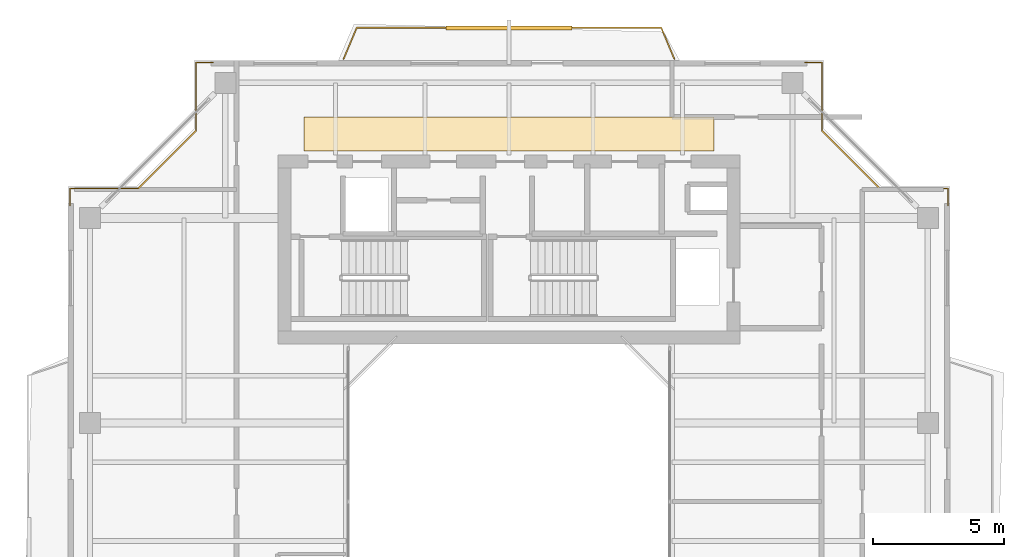
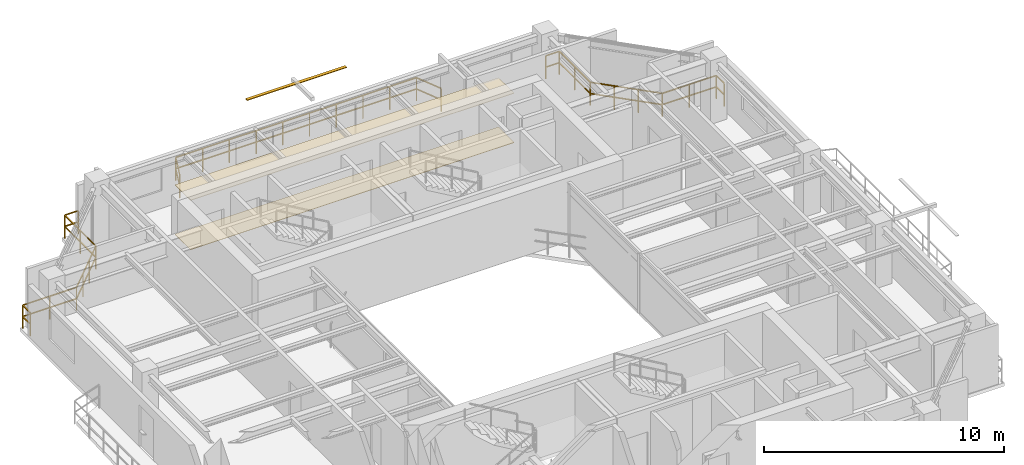
# One storey, part 16 of 16: 3 railings, 2 coverings, 1 shading device.
"""IFC4 building model written with IfcOpenShell, lengths in metres."""

from ifc_helpers import new_model, si_unit, direction, frame, origin, origin_2d, place, context, subcontext, project, spatial, polyline, rectangle, outline, extrude, source, transform, mapped, material, layer, layer_set, material_profile, profile_set, type_object, element, save


model = new_model("IFC4")

# Units and contexts
model_context = context("Model", 3, precision=1e-05, world=origin(), true_north=direction((0.0, 1.0)))
body_context = subcontext(model_context, "Body", "Model", "MODEL_VIEW")
ifc_project = project(units=[si_unit("LENGTHUNIT", "METRE"), si_unit("AREAUNIT", "SQUARE_METRE"), si_unit("VOLUMEUNIT", "CUBIC_METRE"), si_unit("PLANEANGLEUNIT", "RADIAN"), si_unit("MASSUNIT", "GRAM", prefix="KILO"), si_unit("THERMODYNAMICTEMPERATUREUNIT", "KELVIN"), si_unit("POWERUNIT", "WATT")], contexts=[model_context])

# Site, building, storey
site_placement = place(None, origin())
site = spatial("IfcSite", under=ifc_project, at=site_placement, CompositionType="ELEMENT")
building_placement = place(site_placement, origin())
building = spatial("IfcBuilding", under=site, at=building_placement, Name="Qiaomeng Ring Towers", CompositionType="ELEMENT")
storey_placement = place(building_placement, frame((0.0, 0.0, 229.5)))
storey = spatial("IfcBuildingStorey", under=building, at=storey_placement, Name="L67", CompositionType="ELEMENT", Elevation=229.5)

# Coverings
ifc_material_1 = material(Name="Moisture-resistant gypsum ceiling board", Category="gypsum")
ifc_layer_1 = layer(ifc_material_1, 0.030029296875, Name="Moisture-resistant gypsum ceiling board")
ifc_layer_set_1 = layer_set([ifc_layer_1], Name="Moisture-resistant gypsum ceiling board")
covering_type_1 = type_object("IfcCoveringType", Name="ARC-COV-CEIL2", PredefinedType="CEILING", material=ifc_layer_set_1)
covering_1_placement = place(storey_placement, frame((0.0, 0.0, 2.510009765625)))
element("IfcCovering", 1, at=covering_1_placement, inside=storey, type_object=covering_type_1, Name="L67 Corridor Acoustic Ceiling", PredefinedType="CEILING", context=body_context, shape_type="SweptSolid", body=[
    extrude(outline(polyline([(11.199951171875, 36.35009765625), (11.199951171875, 37.64990234375), (26.800048828125, 37.64990234375), (26.800048828125, 36.35009765625), (11.199951171875, 36.35009765625)])), origin(), (0.0, 0.0, 1.0), 0.02490234375),
])
ifc_material_2 = material(Name="Vitrified porcelain floor tile", Category="ceramic")
ifc_layer_2 = layer(ifc_material_2, 0.02001953125, Name="Vitrified porcelain floor tile")
ifc_layer_set_2 = layer_set([ifc_layer_2], Name="Vitrified porcelain floor tile")
covering_type_2 = type_object("IfcCoveringType", Name="ARC-COV-FLR1", PredefinedType="FLOORING", material=ifc_layer_set_2)
covering_2_placement = place(storey_placement, origin())
element("IfcCovering", 2, at=covering_2_placement, inside=storey, type_object=covering_type_2, Name="L67 Corridor Stone Flooring", PredefinedType="FLOORING", context=body_context, shape_type="SweptSolid", body=[
    extrude(outline(polyline([(11.199951171875, 36.35009765625), (11.199951171875, 37.64990234375), (26.800048828125, 37.64990234375), (26.800048828125, 36.35009765625), (11.199951171875, 36.35009765625)])), origin(), (0.0, 0.0, 1.0), 0.02001953125),
])

# Railings
ifc_material_3 = material(Name="Low-E pale-green laminated safety glass", Category="glass")
railing_type = type_object("IfcRailingType", Name="ARC-RL-BAL1", PredefinedType="BALUSTRADE", material=ifc_material_3)
railing_1_placement = place(storey_placement, frame((35.719970703125, 34.27001953125, 0.0)))
element("IfcRailing", 3, at=railing_1_placement, inside=storey, type_object=railing_type, Name="L67 Balustrade ARC-BAL-NOTCH1-L67-NE", PredefinedType="BALUSTRADE", context=body_context, shape_type="SweptSolid", body=[
    extrude(rectangle(XDim=0.048095703125, YDim=0.048095703125, at=origin_2d()), frame((0.0, 0.0, 1.17578125), z_axis=(0.0, 1.0, 0.0), x_axis=(-1.0, 0.0, 0.0)), (0.0, 0.0, 1.0), 0.64990234375),
    extrude(rectangle(XDim=0.048095703125, YDim=0.048095703125, at=origin_2d()), frame((0.0, 0.0, 0.60009765625), z_axis=(0.0, 1.0, 0.0), x_axis=(-1.0, 0.0, 0.0)), (0.0, 0.0, 1.0), 0.64990234375),
    extrude(rectangle(XDim=0.048095703125, YDim=0.048095703125, at=origin_2d()), frame((0.0, 0.64990234375, 1.17578125), z_axis=(-1.0, 0.0, 0.0), x_axis=(0.0, -1.0, 0.0)), (0.0, 0.0, 1.0), 2.599853515625),
    extrude(rectangle(XDim=0.048095703125, YDim=0.048095703125, at=origin_2d()), frame((0.0, 0.64990234375, 0.60009765625), z_axis=(-1.0, 0.0, 0.0), x_axis=(0.0, -1.0, 0.0)), (0.0, 0.0, 1.0), 2.599853515625),
    extrude(rectangle(XDim=0.048095703125, YDim=0.048095703125, at=origin_2d()), frame((-2.599853515625, 0.64990234375, 1.17578125), z_axis=(-0.707106781187, 0.707106781187, 0.0), x_axis=(-0.707106781187, -0.707106781187, 0.0)), (0.0, 0.0, 1.0), 3.111572265625),
    extrude(rectangle(XDim=0.048095703125, YDim=0.048095703125, at=origin_2d()), frame((-2.599853515625, 0.64990234375, 0.60009765625), z_axis=(-0.707106781187, 0.707106781187, 0.0), x_axis=(-0.707106781187, -0.707106781187, 0.0)), (0.0, 0.0, 1.0), 3.111572265625),
    extrude(rectangle(XDim=0.048095703125, YDim=0.048095703125, at=origin_2d()), frame((-4.800048828125, 2.85009765625, 1.17578125), z_axis=(0.0, 1.0, 0.0), x_axis=(-1.0, 0.0, 0.0)), (0.0, 0.0, 1.0), 2.599853515625),
    extrude(rectangle(XDim=0.048095703125, YDim=0.048095703125, at=origin_2d()), frame((-4.800048828125, 2.85009765625, 0.60009765625), z_axis=(0.0, 1.0, 0.0), x_axis=(-1.0, 0.0, 0.0)), (0.0, 0.0, 1.0), 2.599853515625),
    extrude(rectangle(XDim=0.048095703125, YDim=0.048095703125, at=origin_2d()), frame((-4.800048828125, 5.449951171875, 1.17578125), z_axis=(-1.0, 0.0, 0.0), x_axis=(0.0, -1.0, 0.0)), (0.0, 0.0, 1.0), 0.64990234375),
    extrude(rectangle(XDim=0.048095703125, YDim=0.048095703125, at=origin_2d()), frame((-4.800048828125, 5.449951171875, 0.60009765625), z_axis=(-1.0, 0.0, 0.0), x_axis=(0.0, -1.0, 0.0)), (0.0, 0.0, 1.0), 0.64990234375),
    extrude(rectangle(XDim=0.0419921875, YDim=0.0419921875, at=origin_2d()), origin(), (0.0, 0.0, 1.0), 1.15185546875),
    extrude(rectangle(XDim=0.0419921875, YDim=0.0419921875, at=origin_2d()), frame((0.0, 0.64990234375, 0.0)), (0.0, 0.0, 1.0), 1.15185546875),
    extrude(rectangle(XDim=0.0419921875, YDim=0.0419921875, at=origin_2d()), frame((-1.2998046875, 0.64990234375, 0.0)), (0.0, 0.0, 1.0), 1.15185546875),
    extrude(rectangle(XDim=0.0419921875, YDim=0.0419921875, at=origin_2d()), frame((-2.599853515625, 0.64990234375, 0.0)), (0.0, 0.0, 1.0), 1.15185546875),
    extrude(rectangle(XDim=0.0419921875, YDim=0.0419921875, at=origin_2d()), frame((-3.333251953125, 1.38330078125, 0.0)), (0.0, 0.0, 1.0), 1.15185546875),
    extrude(rectangle(XDim=0.0419921875, YDim=0.0419921875, at=origin_2d()), frame((-4.066650390625, 2.11669921875, 0.0)), (0.0, 0.0, 1.0), 1.15185546875),
    extrude(rectangle(XDim=0.0419921875, YDim=0.0419921875, at=origin_2d()), frame((-4.800048828125, 2.85009765625, 0.0)), (0.0, 0.0, 1.0), 1.15185546875),
    extrude(rectangle(XDim=0.0419921875, YDim=0.0419921875, at=origin_2d()), frame((-4.800048828125, 4.14990234375, 0.0)), (0.0, 0.0, 1.0), 1.15185546875),
    extrude(rectangle(XDim=0.0419921875, YDim=0.0419921875, at=origin_2d()), frame((-4.800048828125, 5.449951171875, 0.0)), (0.0, 0.0, 1.0), 1.15185546875),
    extrude(rectangle(XDim=0.0419921875, YDim=0.0419921875, at=origin_2d()), frame((-5.449951171875, 5.449951171875, 0.0)), (0.0, 0.0, 1.0), 1.15185546875),
])
railing_2_placement = place(storey_placement, frame((7.72998046875, 39.719970703125, 0.0)))
element("IfcRailing", 4, at=railing_2_placement, inside=storey, type_object=railing_type, Name="L67 Balustrade ARC-BAL-NOTCH1-L67-NW", PredefinedType="BALUSTRADE", context=body_context, shape_type="SweptSolid", body=[
    extrude(rectangle(XDim=0.048095703125, YDim=0.048095703125, at=origin_2d()), frame((0.0, 0.0, 1.17578125), z_axis=(-1.0, 0.0, 0.0), x_axis=(0.0, -1.0, 0.0)), (0.0, 0.0, 1.0), 0.64990234375),
    extrude(rectangle(XDim=0.048095703125, YDim=0.048095703125, at=origin_2d()), frame((0.0, 0.0, 0.60009765625), z_axis=(-1.0, 0.0, 0.0), x_axis=(0.0, -1.0, 0.0)), (0.0, 0.0, 1.0), 0.64990234375),
    extrude(rectangle(XDim=0.048095703125, YDim=0.048095703125, at=origin_2d()), frame((-0.64990234375, 0.0, 1.17578125), z_axis=(0.0, -1.0, 0.0), x_axis=(1.0, 0.0, 0.0)), (0.0, 0.0, 1.0), 2.599853515625),
    extrude(rectangle(XDim=0.048095703125, YDim=0.048095703125, at=origin_2d()), frame((-0.64990234375, 0.0, 0.60009765625), z_axis=(0.0, -1.0, 0.0), x_axis=(1.0, 0.0, 0.0)), (0.0, 0.0, 1.0), 2.599853515625),
    extrude(rectangle(XDim=0.048095703125, YDim=0.048095703125, at=origin_2d()), frame((-0.64990234375, -2.599853515625, 1.17578125), z_axis=(-0.707106781187, -0.707106781187, 0.0), x_axis=(0.707106781187, -0.707106781187, 0.0)), (0.0, 0.0, 1.0), 3.111572265625),
    extrude(rectangle(XDim=0.048095703125, YDim=0.048095703125, at=origin_2d()), frame((-0.64990234375, -2.599853515625, 0.60009765625), z_axis=(-0.707106781187, -0.707106781187, 0.0), x_axis=(0.707106781187, -0.707106781187, 0.0)), (0.0, 0.0, 1.0), 3.111572265625),
    extrude(rectangle(XDim=0.048095703125, YDim=0.048095703125, at=origin_2d()), frame((-2.85009765625, -4.800048828125, 1.17578125), z_axis=(-1.0, 0.0, 0.0), x_axis=(0.0, -1.0, 0.0)), (0.0, 0.0, 1.0), 2.599853515625),
    extrude(rectangle(XDim=0.048095703125, YDim=0.048095703125, at=origin_2d()), frame((-2.85009765625, -4.800048828125, 0.60009765625), z_axis=(-1.0, 0.0, 0.0), x_axis=(0.0, -1.0, 0.0)), (0.0, 0.0, 1.0), 2.599853515625),
    extrude(rectangle(XDim=0.048095703125, YDim=0.048095703125, at=origin_2d()), frame((-5.449951171875, -4.800048828125, 1.17578125), z_axis=(0.0, -1.0, 0.0), x_axis=(1.0, 0.0, 0.0)), (0.0, 0.0, 1.0), 0.64990234375),
    extrude(rectangle(XDim=0.048095703125, YDim=0.048095703125, at=origin_2d()), frame((-5.449951171875, -4.800048828125, 0.60009765625), z_axis=(0.0, -1.0, 0.0), x_axis=(1.0, 0.0, 0.0)), (0.0, 0.0, 1.0), 0.64990234375),
    extrude(rectangle(XDim=0.0419921875, YDim=0.0419921875, at=origin_2d()), origin(), (0.0, 0.0, 1.0), 1.15185546875),
    extrude(rectangle(XDim=0.0419921875, YDim=0.0419921875, at=origin_2d()), frame((-0.64990234375, 0.0, 0.0)), (0.0, 0.0, 1.0), 1.15185546875),
    extrude(rectangle(XDim=0.0419921875, YDim=0.0419921875, at=origin_2d()), frame((-0.64990234375, -1.2998046875, 0.0)), (0.0, 0.0, 1.0), 1.15185546875),
    extrude(rectangle(XDim=0.0419921875, YDim=0.0419921875, at=origin_2d()), frame((-0.64990234375, -2.599853515625, 0.0)), (0.0, 0.0, 1.0), 1.15185546875),
    extrude(rectangle(XDim=0.0419921875, YDim=0.0419921875, at=origin_2d()), frame((-1.38330078125, -3.333251953125, 0.0)), (0.0, 0.0, 1.0), 1.15185546875),
    extrude(rectangle(XDim=0.0419921875, YDim=0.0419921875, at=origin_2d()), frame((-2.11669921875, -4.066650390625, 0.0)), (0.0, 0.0, 1.0), 1.15185546875),
    extrude(rectangle(XDim=0.0419921875, YDim=0.0419921875, at=origin_2d()), frame((-2.85009765625, -4.800048828125, 0.0)), (0.0, 0.0, 1.0), 1.15185546875),
    extrude(rectangle(XDim=0.0419921875, YDim=0.0419921875, at=origin_2d()), frame((-4.14990234375, -4.800048828125, 0.0)), (0.0, 0.0, 1.0), 1.15185546875),
    extrude(rectangle(XDim=0.0419921875, YDim=0.0419921875, at=origin_2d()), frame((-5.449951171875, -4.800048828125, 0.0)), (0.0, 0.0, 1.0), 1.15185546875),
    extrude(rectangle(XDim=0.0419921875, YDim=0.0419921875, at=origin_2d()), frame((-5.449951171875, -5.449951171875, 0.0)), (0.0, 0.0, 1.0), 1.15185546875),
])
railing_3_placement = place(storey_placement, frame((12.699951171875, 39.85009765625, 0.0)))
element("IfcRailing", 5, at=railing_3_placement, inside=storey, type_object=railing_type, Name="L67 Balustrade ARC-BAL-L67-T1-N", PredefinedType="BALUSTRADE", context=body_context, shape_type="SweptSolid", body=[
    extrude(rectangle(XDim=0.048095703125, YDim=0.048095703125, at=origin_2d()), frame((0.0, 0.0, 1.17578125), z_axis=(0.387380404006, 0.921919965394, 0.0), x_axis=(-0.921919965394, 0.387380404006, 0.0)), (0.0, 0.0, 1.0), 1.290771484375),
    extrude(rectangle(XDim=0.048095703125, YDim=0.048095703125, at=origin_2d()), frame((0.0, 0.0, 0.60009765625), z_axis=(0.387380404006, 0.921919965394, 0.0), x_axis=(-0.921919965394, 0.387380404006, 0.0)), (0.0, 0.0, 1.0), 1.290771484375),
    extrude(rectangle(XDim=0.048095703125, YDim=0.048095703125, at=origin_2d()), frame((0.5, 1.18994140625, 1.17578125), z_axis=(1.0, 0.0, 0.0), x_axis=(0.0, 1.0, 0.0)), (0.0, 0.0, 1.0), 11.60009765625),
    extrude(rectangle(XDim=0.048095703125, YDim=0.048095703125, at=origin_2d()), frame((0.5, 1.18994140625, 0.60009765625), z_axis=(1.0, 0.0, 0.0), x_axis=(0.0, 1.0, 0.0)), (0.0, 0.0, 1.0), 11.60009765625),
    extrude(rectangle(XDim=0.048095703125, YDim=0.048095703125, at=origin_2d()), frame((12.10009765625, 1.18994140625, 1.17578125), z_axis=(0.387380404006, -0.921919965394, 0.0), x_axis=(0.921919965394, 0.387380404006, 0.0)), (0.0, 0.0, 1.0), 1.290771484375),
    extrude(rectangle(XDim=0.048095703125, YDim=0.048095703125, at=origin_2d()), frame((12.10009765625, 1.18994140625, 0.60009765625), z_axis=(0.387380404006, -0.921919965394, 0.0), x_axis=(0.921919965394, 0.387380404006, 0.0)), (0.0, 0.0, 1.0), 1.290771484375),
    extrude(rectangle(XDim=0.0419921875, YDim=0.0419921875, at=origin_2d()), origin(), (0.0, 0.0, 1.0), 1.15185546875),
    extrude(rectangle(XDim=0.0419921875, YDim=0.0419921875, at=origin_2d()), frame((0.5, 1.18994140625, 0.0)), (0.0, 0.0, 1.0), 1.15185546875),
    extrude(rectangle(XDim=0.0419921875, YDim=0.0419921875, at=origin_2d()), frame((1.788818359375, 1.18994140625, 0.0)), (0.0, 0.0, 1.0), 1.15185546875),
    extrude(rectangle(XDim=0.0419921875, YDim=0.0419921875, at=origin_2d()), frame((3.077880859375, 1.18994140625, 0.0)), (0.0, 0.0, 1.0), 1.15185546875),
    extrude(rectangle(XDim=0.0419921875, YDim=0.0419921875, at=origin_2d()), frame((4.36669921875, 1.18994140625, 0.0)), (0.0, 0.0, 1.0), 1.15185546875),
    extrude(rectangle(XDim=0.0419921875, YDim=0.0419921875, at=origin_2d()), frame((5.655517578125, 1.18994140625, 0.0)), (0.0, 0.0, 1.0), 1.15185546875),
    extrude(rectangle(XDim=0.0419921875, YDim=0.0419921875, at=origin_2d()), frame((6.944580078125, 1.18994140625, 0.0)), (0.0, 0.0, 1.0), 1.15185546875),
    extrude(rectangle(XDim=0.0419921875, YDim=0.0419921875, at=origin_2d()), frame((8.2333984375, 1.18994140625, 0.0)), (0.0, 0.0, 1.0), 1.15185546875),
    extrude(rectangle(XDim=0.0419921875, YDim=0.0419921875, at=origin_2d()), frame((9.522216796875, 1.18994140625, 0.0)), (0.0, 0.0, 1.0), 1.15185546875),
    extrude(rectangle(XDim=0.0419921875, YDim=0.0419921875, at=origin_2d()), frame((10.811279296875, 1.18994140625, 0.0)), (0.0, 0.0, 1.0), 1.15185546875),
    extrude(rectangle(XDim=0.0419921875, YDim=0.0419921875, at=origin_2d()), frame((12.10009765625, 1.18994140625, 0.0)), (0.0, 0.0, 1.0), 1.15185546875),
    extrude(rectangle(XDim=0.0419921875, YDim=0.0419921875, at=origin_2d()), frame((12.60009765625, 0.0, 0.0)), (0.0, 0.0, 1.0), 1.15185546875),
])

# Shading device
ifc_material_4 = material(Name="Fluorocarbon dark-grey aluminium", Category="aluminium")
ifc_material_profile = material_profile(ifc_material_4, rectangle(XDim=0.14990234375, YDim=0.034912109375, at=origin_2d()), Name="LV BLADE 150x35")
ifc_profile_set = profile_set([ifc_material_profile], Name="Fluorocarbon dark-grey aluminium")
shading_device_type = type_object("IfcShadingDeviceType", Name="ARC-SHD-SUN", PredefinedType="AWNING", material=ifc_profile_set)
shared_shape = source(origin(), body_context, "Body", "SweptSolid", [
    extrude(rectangle(XDim=0.14990234375, YDim=0.034912109375, at=origin_2d()), origin(), (0.0, 0.0, 1.0), 4.7998046875),
])
shading_device_placement = place(storey_placement, frame((16.60009765625, 41.0400390625, 2.929931640625), z_axis=(1.0, 0.0, 0.0), x_axis=(0.0, 1.0, 0.0)))
element("IfcShadingDevice", 6, at=shading_device_placement, inside=storey, type_object=shading_device_type, Name="L67 Ventilated Outer-Skin Sunshade N", PredefinedType="AWNING", context=body_context, shape_type="MappedRepresentation", body=[
    mapped(shared_shape, transform((0.0, 0.0, 0.0), x_axis=(1.0, 0.0, 0.0), y_axis=(0.0, 1.0, 0.0), z_axis=(0.0, 0.0, 1.0), scale=1.0)),
])

save(model, "model.ifc")
